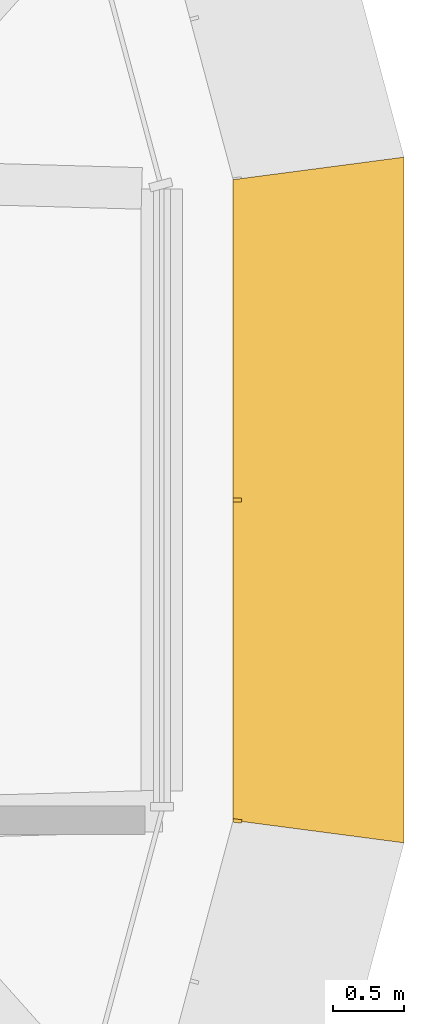
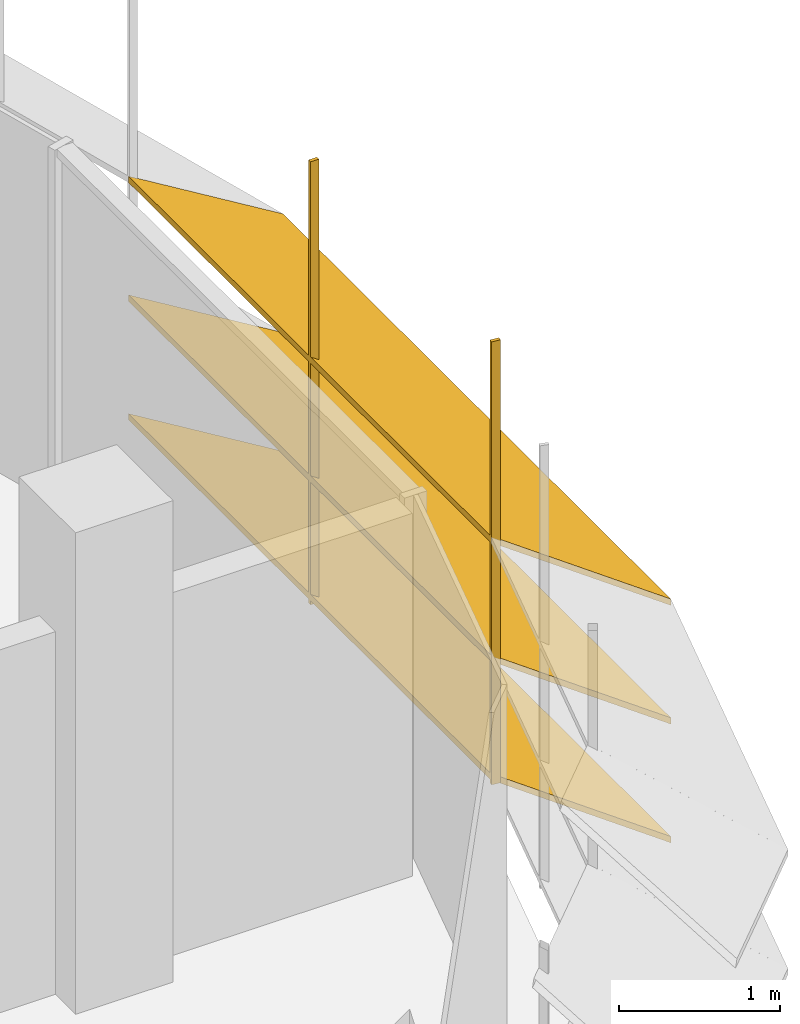
# One storey, part 19 of 19: 1 shading device.
"""IFC4 building model written with IfcOpenShell, lengths in metres."""

from ifc_helpers import new_model, si_unit, direction, frame, origin, place, context, subcontext, project, spatial, polyline, outline, extrude, faceted_brep, source, transform, mapped, material, type_object, element, save


model = new_model("IFC4")

# Units and contexts
model_context = context("Model", 3, precision=1e-05, world=origin(), true_north=direction((0.0, 1.0)))
body_context = subcontext(model_context, "Body", "Model", "MODEL_VIEW")
ifc_project = project(units=[si_unit("LENGTHUNIT", "METRE"), si_unit("AREAUNIT", "SQUARE_METRE"), si_unit("VOLUMEUNIT", "CUBIC_METRE"), si_unit("PLANEANGLEUNIT", "RADIAN"), si_unit("MASSUNIT", "GRAM", prefix="KILO")], contexts=[model_context])

# Site, building, storey
site_placement = place(None, origin())
site = spatial("IfcSite", under=ifc_project, at=site_placement, CompositionType="ELEMENT")
building_placement = place(site_placement, origin())
building = spatial("IfcBuilding", under=site, at=building_placement, Name="Zarbagh Exchange Tower", CompositionType="ELEMENT")
storey_placement = place(building_placement, frame((0.0, 0.0, 225.800048828125)))
storey = spatial("IfcBuildingStorey", under=building, at=storey_placement, Name="L55", CompositionType="ELEMENT", Elevation=225.800048828125)

# Shading device
ifc_material = material(Name="Anodised aluminium blades and brackets", Category="aluminium")
shading_device_type = type_object("IfcShadingDeviceType", Name="SUNSHADE louvre band, 33.75 degree blades", PredefinedType="JALOUSIE", material=ifc_material)
shared_shape_1 = source(origin(), body_context, "Body", "Brep", [
    faceted_brep([(0.0, 0.0, 0.0), (0.0, 0.0, -0.048095703125), (-0.157958984375, -1.199951171875, -0.849853515625), (-0.157958984375, -1.199951171875, -0.8017578125), (4.657958984375, -1.199951171875, -0.8017578125), (4.657958984375, -1.199951171875, -0.849853515625), (4.5, 0.0, -0.048095703125), (4.5, 0.0, 0.0)], [[[0, 1, 2, 3]], [[4, 5, 6, 7]], [[0, 7, 6, 1]], [[1, 6, 5, 2]], [[2, 5, 4, 3]], [[3, 4, 7, 0]]]),
])
shared_shape_2 = source(origin(), body_context, "Body", "SweptSolid", [
    extrude(outline(polyline([(0.0, -0.012451171875), (0.06005859375, -0.012451171875), (0.06005859375, 0.012451171875), (0.0, 0.012451171875), (0.0, -0.012451171875)])), origin(), (0.0, 0.0, 1.0), 3.358154296875),
])
shading_device_placement = place(storey_placement, origin())
element("IfcShadingDevice", 1, at=shading_device_placement, inside=storey, type_object=shading_device_type, Name="SS32 sunshade band", PredefinedType="JALOUSIE", context=body_context, shape_type="MappedRepresentation", body=[
    mapped(shared_shape_1, transform((31.5, -2.25, 2.300048828125), x_axis=(0.0, 1.0, 0.0), y_axis=(-1.0, 0.0, 0.0), z_axis=(0.0, 0.0, 1.0))),
    mapped(shared_shape_1, transform((31.5, -2.25, 1.39990234375), x_axis=(0.0, 1.0, 0.0), y_axis=(-1.0, 0.0, 0.0), z_axis=(0.0, 0.0, 1.0))),
    mapped(shared_shape_1, transform((31.5, -2.25, 0.5), x_axis=(0.0, 1.0, 0.0), y_axis=(-1.0, 0.0, 0.0), z_axis=(0.0, 0.0, 1.0))),
    mapped(shared_shape_2, transform((31.5, -2.25, 0.421875), x_axis=(0.991444457092, -0.130529263012, 0.0), y_axis=(0.130529263012, 0.991444457092, 0.0), z_axis=(0.0, 0.0, 1.0))),
    mapped(shared_shape_2, transform((31.5, 0.0, 0.421875), x_axis=(1.0, 0.0, 0.0), y_axis=(0.0, 1.0, 0.0), z_axis=(0.0, 0.0, 1.0))),
])

save(model, "model.ifc")
